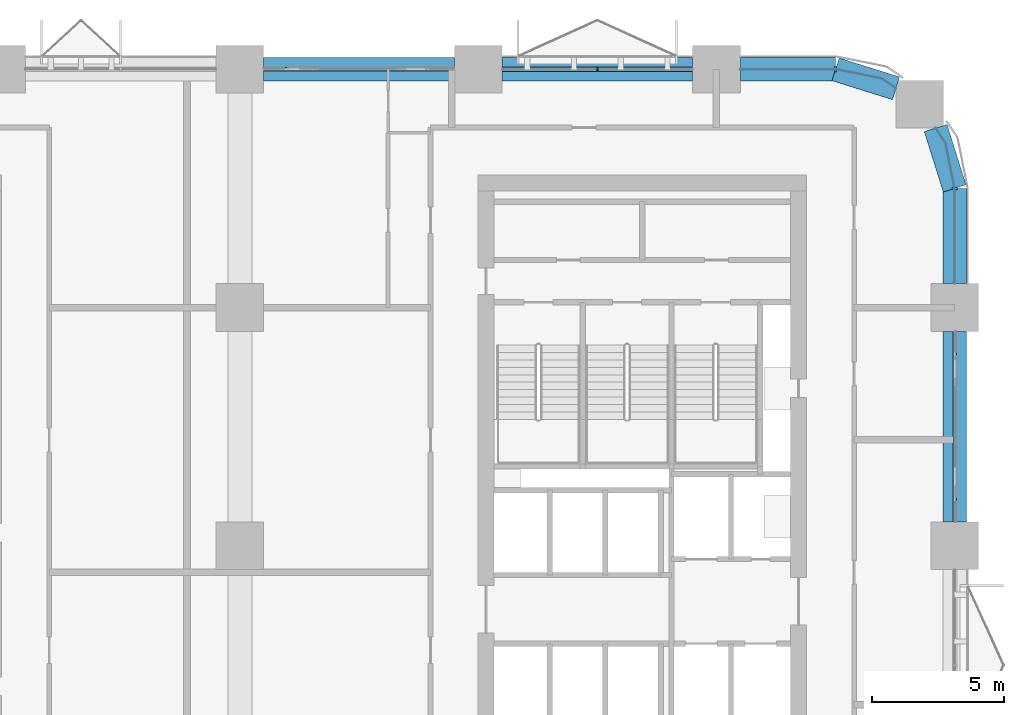
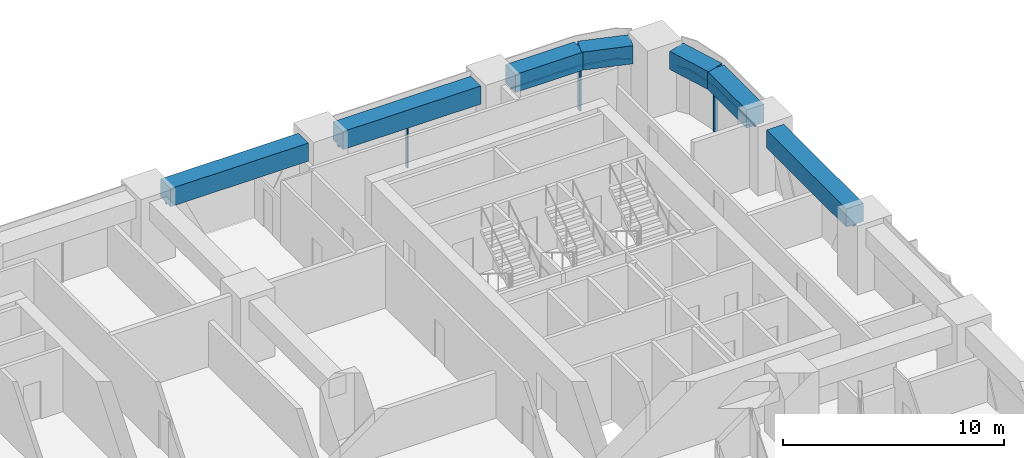
# One storey, part 7 of 21: 8 members, 7 beams, 5 elements without a shape of their own.
"""IFC4 building model written with IfcOpenShell, lengths in metres."""

from ifc_helpers import new_model, si_unit, direction, frame, origin, origin_2d, place, context, subcontext, project, spatial, polyline, rectangle, outline, extrude, material, material_profile, profile_set, type_object, element, aggregate, save


model = new_model("IFC4")

# Units and contexts
model_context = context("Model", 3, precision=1e-05, world=origin(), true_north=direction((0.0, 1.0)))
body_context = subcontext(model_context, "Body", "Model", "MODEL_VIEW")
ifc_project = project(units=[si_unit("LENGTHUNIT", "METRE"), si_unit("AREAUNIT", "SQUARE_METRE"), si_unit("VOLUMEUNIT", "CUBIC_METRE"), si_unit("PLANEANGLEUNIT", "RADIAN"), si_unit("MASSUNIT", "GRAM", prefix="KILO")], contexts=[model_context])

# Site, building, storey
site_placement = place(None, origin())
site = spatial("IfcSite", under=ifc_project, at=site_placement, CompositionType="ELEMENT")
building_placement = place(site_placement, origin())
building = spatial("IfcBuilding", under=site, at=building_placement, Name="Tessera Arch", CompositionType="ELEMENT")
storey_placement = place(building_placement, frame((0.0, 0.0, 42.39990234375)))
storey = spatial("IfcBuildingStorey", under=building, at=storey_placement, Name="L08", CompositionType="ELEMENT", Elevation=42.39990234375)

# Curtain wall, members
ifc_material_1 = material(Name="CW1 curtain wall")
curtain_wall_type_1 = type_object("IfcCurtainWallType", Name="CW1 curtain wall", PredefinedType="NOTDEFINED", material=ifc_material_1)
curtain_wall_1_placement = place(storey_placement, origin())
curtain_wall_1 = element("IfcCurtainWall", 1, at=curtain_wall_1_placement, inside=storey, type_object=curtain_wall_type_1, Name="CW1 curtain wall N54.0/1 L08", PredefinedType="NOTDEFINED")
ifc_material_2 = material(Name="Anodised aluminium pale metal", Category="aluminium")
ifc_material_profile_1 = material_profile(ifc_material_2, rectangle(XDim=0.159912109375, YDim=0.06005859375, at=origin_2d()), Name="AL 60x160")
ifc_profile_set_1 = profile_set([ifc_material_profile_1], Name="Anodised aluminium pale metal")
member_type_1 = type_object("IfcMemberType", Name="CW1 mullion", PredefinedType="MULLION", material=ifc_profile_set_1)
member_1_placement = place(storey_placement, frame((40.5, 54.0, 0.0), z_axis=(0.0, 0.0, 1.0), x_axis=(0.0, -1.0, 0.0)))
member_1 = element("IfcMember", 2, at=member_1_placement, type_object=member_type_1, Name="CW1 mullion N54.0/1 1", PredefinedType="MULLION", context=body_context, shape_type="SweptSolid", body=[
    extrude(rectangle(XDim=0.159912109375, YDim=0.06005859375, at=origin_2d()), origin(), (0.0, 0.0, 1.0), 2.400146484375),
])
ifc_material_3 = material(Name="Anodised aluminium pale metal", Category="aluminium")
ifc_material_profile_2 = material_profile(ifc_material_3, rectangle(XDim=0.159912109375, YDim=0.10009765625, at=origin_2d()), Name="AL 160x100")
ifc_profile_set_2 = profile_set([ifc_material_profile_2], Name="Anodised aluminium pale metal")
member_type_2 = type_object("IfcMemberType", Name="CW1 transom", PredefinedType="USERDEFINED", material=ifc_profile_set_2)
member_2_placement = place(storey_placement, frame((44.10009765625, 54.0, 2.4501953125), z_axis=(-1.0, 0.0, 0.0), x_axis=(0.0, -1.0, 0.0)))
member_2 = element("IfcMember", 3, at=member_2_placement, type_object=member_type_2, Name="CW1 transom N54.0/1 1.1", ObjectType="TRANSOM", PredefinedType="USERDEFINED", context=body_context, shape_type="SweptSolid", body=[
    extrude(rectangle(XDim=0.159912109375, YDim=0.10009765625, at=origin_2d()), origin(), (0.0, 0.0, 1.0), 7.2001953125),
])
aggregate(curtain_wall_1, [member_1, member_2])

# Curtain wall, member
ifc_material_4 = material(Name="CW2 curtain wall")
curtain_wall_type_2 = type_object("IfcCurtainWallType", Name="CW2 curtain wall", PredefinedType="NOTDEFINED", material=ifc_material_4)
curtain_wall_2_placement = place(storey_placement, origin())
curtain_wall_2 = element("IfcCurtainWall", 4, at=curtain_wall_2_placement, inside=storey, type_object=curtain_wall_type_2, Name="CW2 curtain wall E54.0/5 L08", PredefinedType="NOTDEFINED")
ifc_material_5 = material(Name="Anodised aluminium pale metal", Category="aluminium")
ifc_material_profile_3 = material_profile(ifc_material_5, rectangle(XDim=0.199951171875, YDim=0.080078125, at=origin_2d()), Name="AL 80x200")
ifc_profile_set_3 = profile_set([ifc_material_profile_3], Name="Anodised aluminium pale metal")
member_type_3 = type_object("IfcMemberType", Name="CW2 mullion", PredefinedType="MULLION", material=ifc_profile_set_3)
member_3_placement = place(storey_placement, frame((54.0, 49.5, 0.0), z_axis=(0.0, 0.0, 1.0), x_axis=(-1.0, 0.0, 0.0)))
member_3 = element("IfcMember", 5, at=member_3_placement, type_object=member_type_3, Name="CW2 mullion E54.0/5 1", PredefinedType="MULLION", context=body_context, shape_type="SweptSolid", body=[
    extrude(rectangle(XDim=0.199951171875, YDim=0.080078125, at=origin_2d()), origin(), (0.0, 0.0, 1.0), 2.400146484375),
])

curtain_wall_3_placement = place(storey_placement, origin())
curtain_wall_3 = element("IfcCurtainWall", 6, at=curtain_wall_3_placement, inside=storey, type_object=curtain_wall_type_2, Name="CW2 curtain wall N54.0/0 L08", PredefinedType="NOTDEFINED")
member_4_placement = place(storey_placement, frame((49.5, 54.0, 0.0), z_axis=(0.0, 0.0, 1.0), x_axis=(0.0, -1.0, 0.0)))
member_4 = element("IfcMember", 7, at=member_4_placement, type_object=member_type_3, Name="CW2 mullion N54.0/0 1", PredefinedType="MULLION", context=body_context, shape_type="SweptSolid", body=[
    extrude(rectangle(XDim=0.199951171875, YDim=0.080078125, at=origin_2d()), origin(), (0.0, 0.0, 1.0), 2.400146484375),
])

# Member
ifc_material_6 = material(Name="Anodised aluminium pale metal", Category="aluminium")
ifc_material_profile_4 = material_profile(ifc_material_6, rectangle(XDim=0.199951171875, YDim=0.10009765625, at=origin_2d()), Name="AL 200x100")
ifc_profile_set_4 = profile_set([ifc_material_profile_4], Name="Anodised aluminium pale metal")
member_type_4 = type_object("IfcMemberType", Name="CW2 transom", PredefinedType="USERDEFINED", material=ifc_profile_set_4)
member_5_placement = place(storey_placement, frame((0.0, 0.0, 2.400146484375)))
member_5 = element("IfcMember", 8, at=member_5_placement, type_object=member_type_4, Name="CW2 transom E54.0/5 1", ObjectType="TRANSOM", PredefinedType="USERDEFINED", context=body_context, shape_type="SweptSolid", body=[
    extrude(outline(polyline([(53.989990234375, 49.4990234375), (53.989990234375, 45.89990234375), (54.010009765625, 45.89990234375), (54.010009765625, 49.5009765625), (53.6669921875, 51.22607421875), (53.29150390625, 51.78759765625), (53.27490234375, 51.7763671875), (53.648193359375, 51.21826171875), (53.989990234375, 49.4990234375)])), origin(), (0.0, 0.0, 1.0), 0.099853515625),
])

aggregate(curtain_wall_2, [member_3, member_5])

member_6_placement = place(storey_placement, frame((0.0, 0.0, 2.400146484375)))
member_6 = element("IfcMember", 9, at=member_6_placement, type_object=member_type_4, Name="CW2 transom N54.0/0 1", ObjectType="TRANSOM", PredefinedType="USERDEFINED", context=body_context, shape_type="SweptSolid", body=[
    extrude(outline(polyline([(51.21826171875, 53.648193359375), (51.7763671875, 53.27490234375), (51.78759765625, 53.29150390625), (51.22607421875, 53.6669921875), (49.5009765625, 54.010009765625), (45.89990234375, 54.010009765625), (45.89990234375, 53.989990234375), (49.4990234375, 53.989990234375), (51.21826171875, 53.648193359375)])), origin(), (0.0, 0.0, 1.0), 0.099853515625),
])

aggregate(curtain_wall_3, [member_4, member_6])

# Curtain wall, member
ifc_material_7 = material(Name="CW3 curtain wall")
curtain_wall_type_3 = type_object("IfcCurtainWallType", Name="CW3 curtain wall", PredefinedType="NOTDEFINED", material=ifc_material_7)
curtain_wall_4_placement = place(storey_placement, origin())
curtain_wall_4 = element("IfcCurtainWall", 10, at=curtain_wall_4_placement, inside=storey, type_object=curtain_wall_type_3, Name="CW3 curtain wall E54.0/4 L08", PredefinedType="NOTDEFINED")
ifc_material_8 = material(Name="Anodised aluminium pale metal", Category="aluminium")
ifc_material_profile_5 = material_profile(ifc_material_8, rectangle(XDim=0.139892578125, YDim=0.10009765625, at=origin_2d()), Name="AL 140x100")
ifc_profile_set_5 = profile_set([ifc_material_profile_5], Name="Anodised aluminium pale metal")
member_type_5 = type_object("IfcMemberType", Name="CW3 transom", PredefinedType="USERDEFINED", material=ifc_profile_set_5)
member_7_placement = place(storey_placement, frame((54.0, 36.89990234375, 2.4501953125), z_axis=(0.0, 1.0, 0.0), x_axis=(-1.0, 0.0, 0.0)))
member_7 = element("IfcMember", 11, at=member_7_placement, type_object=member_type_5, Name="CW3 transom E54.0/4 1.1", ObjectType="TRANSOM", PredefinedType="USERDEFINED", context=body_context, shape_type="SweptSolid", body=[
    extrude(rectangle(XDim=0.139892578125, YDim=0.10009765625, at=origin_2d()), origin(), (0.0, 0.0, 1.0), 7.2001953125),
])
aggregate(curtain_wall_4, [member_7])

curtain_wall_5_placement = place(storey_placement, origin())
curtain_wall_5 = element("IfcCurtainWall", 12, at=curtain_wall_5_placement, inside=storey, type_object=curtain_wall_type_3, Name="CW3 curtain wall N54.0/2 L08", PredefinedType="NOTDEFINED")
member_8_placement = place(storey_placement, frame((35.10009765625, 54.0, 2.4501953125), z_axis=(-1.0, 0.0, 0.0), x_axis=(0.0, -1.0, 0.0)))
member_8 = element("IfcMember", 13, at=member_8_placement, type_object=member_type_5, Name="CW3 transom N54.0/2 1.1", ObjectType="TRANSOM", PredefinedType="USERDEFINED", context=body_context, shape_type="SweptSolid", body=[
    extrude(rectangle(XDim=0.139892578125, YDim=0.10009765625, at=origin_2d()), origin(), (0.0, 0.0, 1.0), 7.2001953125),
])
aggregate(curtain_wall_5, [member_8])

# Beams
ifc_material_9 = material(Name="Concrete C80/95", Category="concrete")
ifc_material_profile_6 = material_profile(ifc_material_9, rectangle(XDim=0.89990234375, YDim=1.0, at=origin_2d()), Name="RC spandrel beam 900 x 1000 Concrete C80/95")
ifc_profile_set_6 = profile_set([ifc_material_profile_6], Name="Concrete C80/95")
beam_type = type_object("IfcBeamType", Name="RC spandrel beam 900 x 1000 Concrete C80/95", PredefinedType="BEAM", material=ifc_profile_set_6)
beam_1_placement = place(storey_placement, frame((54.0, 36.89990234375, 3.0), z_axis=(0.0, 1.0, 0.0), x_axis=(-1.0, 0.0, 0.0)))
element("IfcBeam", 14, at=beam_1_placement, inside=storey, type_object=beam_type, Name="Spandrel beam L08 E54.0/4", PredefinedType="BEAM", context=body_context, shape_type="SweptSolid", body=[
    extrude(rectangle(XDim=0.89990234375, YDim=1.0, at=origin_2d()), origin(), (0.0, 0.0, 1.0), 7.2001953125),
])
beam_2_placement = place(storey_placement, frame((54.0, 45.89990234375, 3.0), z_axis=(0.0, 1.0, 0.0), x_axis=(-1.0, 0.0, 0.0)))
element("IfcBeam", 15, at=beam_2_placement, inside=storey, type_object=beam_type, Name="Spandrel beam L08 E54.0/5.1", PredefinedType="BEAM", context=body_context, shape_type="SweptSolid", body=[
    extrude(rectangle(XDim=0.89990234375, YDim=1.0, at=origin_2d()), origin(), (0.0, 0.0, 1.0), 3.60009765625),
])
for number, where, z_axis, x_axis, name in (
    (16, (54.0, 49.5, 3.0), (-0.299675309057, 0.954041251279, 0.0), (-0.954041251279, -0.299675309057, 0.0), "Spandrel beam L08 E54.0/5.2"),
    (17, (51.781982421875, 53.283203125, 3.0), (-0.954041251279, 0.299675309057, 0.0), (-0.299675309057, -0.954041251279, 0.0), "Spandrel beam L08 N54.0/0.1"),
):
    element("IfcBeam", number, at=place(storey_placement, frame(where, z_axis=z_axis, x_axis=x_axis)), inside=storey, type_object=beam_type, Name=name, PredefinedType="BEAM", context=body_context, shape_type="SweptSolid", body=[
        extrude(rectangle(XDim=0.89990234375, YDim=1.0, at=origin_2d()), origin(), (0.0, 0.0, 1.0), 2.391845703125),
    ])
beam_3_placement = place(storey_placement, frame((49.5, 54.0, 3.0), z_axis=(-1.0, 0.0, 0.0), x_axis=(0.0, -1.0, 0.0)))
element("IfcBeam", 18, at=beam_3_placement, inside=storey, type_object=beam_type, Name="Spandrel beam L08 N54.0/0.2", PredefinedType="BEAM", context=body_context, shape_type="SweptSolid", body=[
    extrude(rectangle(XDim=0.89990234375, YDim=1.0, at=origin_2d()), origin(), (0.0, 0.0, 1.0), 3.60009765625),
])
for number, where, z_axis, x_axis, name in (
    (19, (44.10009765625, 54.0, 3.0), (-1.0, 0.0, 0.0), (0.0, -1.0, 0.0), "Spandrel beam L08 N54.0/1"),
    (20, (35.10009765625, 54.0, 3.0), (-1.0, 0.0, 0.0), (0.0, -1.0, 0.0), "Spandrel beam L08 N54.0/2"),
):
    element("IfcBeam", number, at=place(storey_placement, frame(where, z_axis=z_axis, x_axis=x_axis)), inside=storey, type_object=beam_type, Name=name, PredefinedType="BEAM", context=body_context, shape_type="SweptSolid", body=[
        extrude(rectangle(XDim=0.89990234375, YDim=1.0, at=origin_2d()), origin(), (0.0, 0.0, 1.0), 7.2001953125),
    ])

save(model, "model.ifc")
